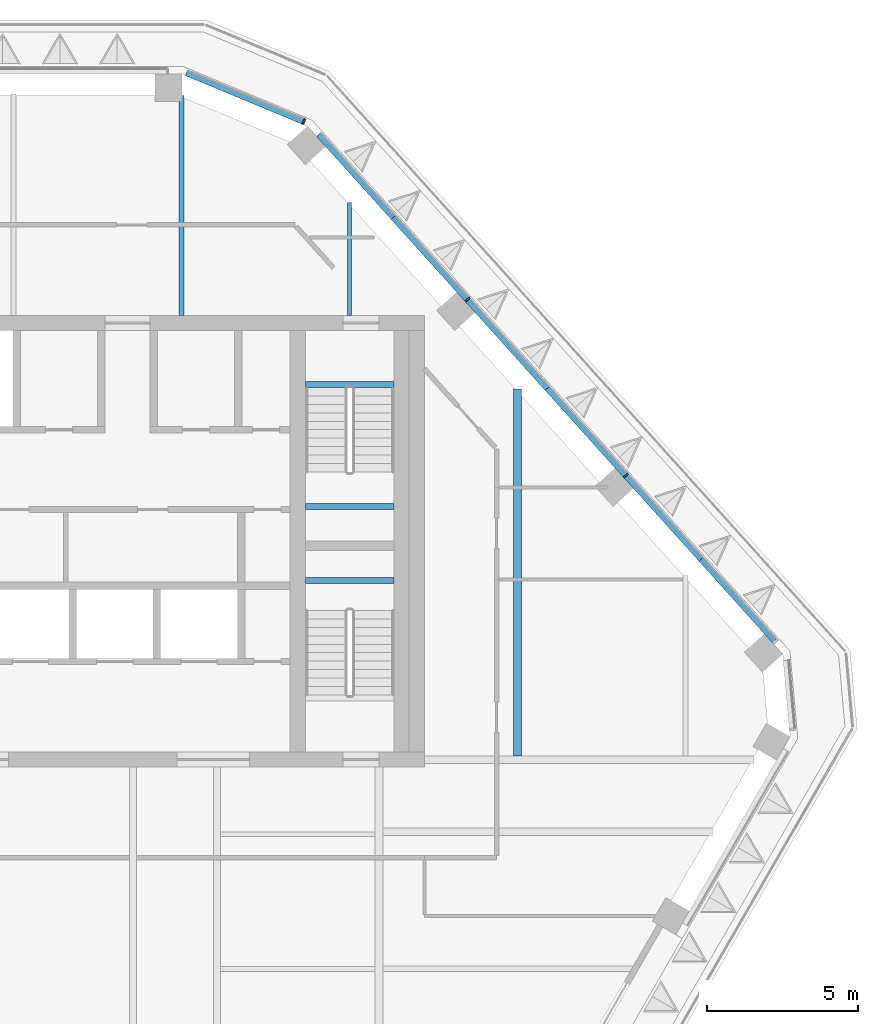
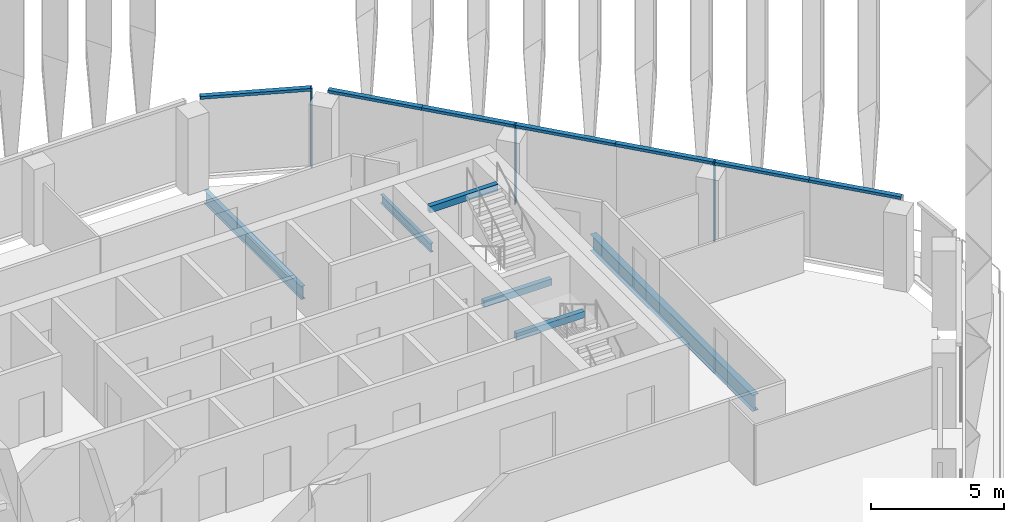
# One storey, part 6 of 21: 10 members, 6 beams, 2 elements without a shape of their own.
"""IFC4 building model written with IfcOpenShell, lengths in metres."""

from ifc_helpers import new_model, si_unit, direction, frame, origin, origin_2d, place, context, subcontext, project, spatial, rectangle, i_section, extrude, material, layer, layer_set, material_profile, profile_set, type_object, element, aggregate, save


model = new_model("IFC4")

# Units and contexts
model_context = context("Model", 3, precision=1e-05, world=origin(), true_north=direction((0.0, 1.0)))
body_context = subcontext(model_context, "Body", "Model", "MODEL_VIEW")
ifc_project = project(units=[si_unit("LENGTHUNIT", "METRE"), si_unit("AREAUNIT", "SQUARE_METRE"), si_unit("VOLUMEUNIT", "CUBIC_METRE"), si_unit("PLANEANGLEUNIT", "RADIAN"), si_unit("MASSUNIT", "GRAM", prefix="KILO")], contexts=[model_context])

# Site, building, storey
site_placement = place(None, origin())
site = spatial("IfcSite", under=ifc_project, at=site_placement, CompositionType="ELEMENT")
building_placement = place(site_placement, origin())
building = spatial("IfcBuilding", under=site, at=building_placement, Name="Isthmus Gate Tower", CompositionType="ELEMENT")
storey_placement = place(building_placement, frame((0.0, 0.0, 260.949951171875)))
storey = spatial("IfcBuildingStorey", under=building, at=storey_placement, Name="L66", CompositionType="ELEMENT", Elevation=260.949951171875)

# Curtain wall, members
ifc_material_1 = material(Name="Aluminium, pale champagne anodised", Category="aluminium")
ifc_layer = layer(ifc_material_1, 0.199951171875)
ifc_layer_set = layer_set([ifc_layer], Name="CW-1 UNITISED CURTAIN WALL 200 DEEP")
curtain_wall_type = type_object("IfcCurtainWallType", Name="CW-1 UNITISED CURTAIN WALL 200 DEEP", PredefinedType="NOTDEFINED", material=ifc_layer_set)
curtain_wall_1_placement = place(storey_placement, origin())
curtain_wall_1 = element("IfcCurtainWall", 1, at=curtain_wall_1_placement, inside=storey, type_object=curtain_wall_type, Name="CW-1 NE L66", PredefinedType="NOTDEFINED")
ifc_material_2 = material(Name="Aluminium, pale champagne anodised", Category="aluminium")
ifc_material_profile_1 = material_profile(ifc_material_2, rectangle(XDim=0.06005859375, YDim=0.199951171875, at=origin_2d()), Name="60x200")
ifc_profile_set_1 = profile_set([ifc_material_profile_1], Name="Aluminium, pale champagne anodised")
member_type_1 = type_object("IfcMemberType", Name="CW-1 MULLION 60 X 200", PredefinedType="MULLION", material=ifc_profile_set_1)
member_1_placement = place(storey_placement, frame((21.69140625, 9.680419921875, 0.0), z_axis=(0.0, 0.0, 1.0), x_axis=(-0.669130606359, 0.743144825477, 0.0)))
member_1 = element("IfcMember", 2, at=member_1_placement, type_object=member_type_1, Name="CW-1 mullion", PredefinedType="MULLION", context=body_context, shape_type="SweptSolid", body=[
    extrude(rectangle(XDim=0.06005859375, YDim=0.199951171875, at=origin_2d()), origin(), (0.0, 0.0, 1.0), 3.650146484375),
])
member_2_placement = place(storey_placement, frame((16.43408203125, 15.519287109375, 0.0), z_axis=(0.0, 0.0, 1.0), x_axis=(-0.669130606359, 0.743144825477, 0.0)))
member_2 = element("IfcMember", 3, at=member_2_placement, type_object=member_type_1, Name="CW-1 mullion", PredefinedType="MULLION", context=body_context, shape_type="SweptSolid", body=[
    extrude(rectangle(XDim=0.06005859375, YDim=0.199951171875, at=origin_2d()), origin(), (0.0, 0.0, 1.0), 3.650146484375),
])

# Curtain wall, member
curtain_wall_2_placement = place(storey_placement, origin())
curtain_wall_2 = element("IfcCurtainWall", 4, at=curtain_wall_2_placement, inside=storey, type_object=curtain_wall_type, Name="CW-1 NE-N L66", PredefinedType="NOTDEFINED")
member_3_placement = place(storey_placement, frame((11.001708984375, 21.427490234375, 0.0), z_axis=(0.0, 0.0, 1.0), x_axis=(-0.923353128387, 0.383951820282, 0.0)))
member_3 = element("IfcMember", 5, at=member_3_placement, type_object=member_type_1, Name="CW-1 mullion", PredefinedType="MULLION", context=body_context, shape_type="SweptSolid", body=[
    extrude(rectangle(XDim=0.06005859375, YDim=0.199951171875, at=origin_2d()), origin(), (0.0, 0.0, 1.0), 3.650146484375),
])

# Member
ifc_material_3 = material(Name="Aluminium, pale champagne anodised", Category="aluminium")
ifc_material_profile_2 = material_profile(ifc_material_3, rectangle(XDim=0.199951171875, YDim=0.1298828125, at=origin_2d()), Name="200x130")
ifc_profile_set_2 = profile_set([ifc_material_profile_2], Name="Aluminium, pale champagne anodised")
member_type_2 = type_object("IfcMemberType", Name="CW-1 TRANSOM 200 X 130", PredefinedType="USERDEFINED", material=ifc_profile_set_2)
member_4_placement = place(storey_placement, frame((26.62744140625, 4.198486328125, 3.5849609375), z_axis=(-0.669149818044, 0.743127526749, 0.0), x_axis=(-0.743127526749, -0.669149818044, 0.0)))
member_4 = element("IfcMember", 6, at=member_4_placement, type_object=member_type_2, Name="CW-1 transom", ObjectType="TRANSOM", PredefinedType="USERDEFINED", context=body_context, shape_type="SweptSolid", body=[
    extrude(rectangle(XDim=0.199951171875, YDim=0.1298828125, at=origin_2d()), origin(), (0.0, 0.0, 1.0), 3.643310546875),
])

member_5_placement = place(storey_placement, frame((24.189453125, 6.906005859375, 3.5849609375), z_axis=(-0.669121330099, 0.743153177754, 0.0), x_axis=(-0.743153177754, -0.669121330099, 0.0)))
member_5 = element("IfcMember", 7, at=member_5_placement, type_object=member_type_2, Name="CW-1 transom", ObjectType="TRANSOM", PredefinedType="USERDEFINED", context=body_context, shape_type="SweptSolid", body=[
    extrude(rectangle(XDim=0.199951171875, YDim=0.1298828125, at=origin_2d()), origin(), (0.0, 0.0, 1.0), 3.703369140625),
])

member_6_placement = place(storey_placement, frame((21.67138671875, 9.702880859375, 3.5849609375), z_axis=(-0.669156480406, 0.743121527565, 0.0), x_axis=(-0.743121527565, -0.669156480406, 0.0)))
member_6 = element("IfcMember", 8, at=member_6_placement, type_object=member_type_2, Name="CW-1 transom", ObjectType="TRANSOM", PredefinedType="USERDEFINED", context=body_context, shape_type="SweptSolid", body=[
    extrude(rectangle(XDim=0.199951171875, YDim=0.1298828125, at=origin_2d()), origin(), (0.0, 0.0, 1.0), 3.868408203125),
])

member_7_placement = place(storey_placement, frame((19.082763671875, 12.57763671875, 3.5849609375), z_axis=(-0.669095199697, 0.743176704252, 0.0), x_axis=(-0.743176704252, -0.669095199697, 0.0)))
member_7 = element("IfcMember", 9, at=member_7_placement, type_object=member_type_2, Name="CW-1 transom", ObjectType="TRANSOM", PredefinedType="USERDEFINED", context=body_context, shape_type="SweptSolid", body=[
    extrude(rectangle(XDim=0.199951171875, YDim=0.1298828125, at=origin_2d()), origin(), (0.0, 0.0, 1.0), 3.92822265625),
])

member_8_placement = place(storey_placement, frame((16.4140625, 15.54150390625, 3.5849609375), z_axis=(-0.669116497993, 0.743157528464, 0.0), x_axis=(-0.743157528464, -0.669116497993, 0.0)))
member_8 = element("IfcMember", 10, at=member_8_placement, type_object=member_type_2, Name="CW-1 transom", ObjectType="TRANSOM", PredefinedType="USERDEFINED", context=body_context, shape_type="SweptSolid", body=[
    extrude(rectangle(XDim=0.199951171875, YDim=0.1298828125, at=origin_2d()), origin(), (0.0, 0.0, 1.0), 3.6435546875),
])

member_9_placement = place(storey_placement, frame((13.97607421875, 18.249267578125, 3.5849609375), z_axis=(-0.669154112043, 0.743123660192, 0.0), x_axis=(-0.743123660192, -0.669154112043, 0.0)))
member_9 = element("IfcMember", 11, at=member_9_placement, type_object=member_type_2, Name="CW-1 transom", ObjectType="TRANSOM", PredefinedType="USERDEFINED", context=body_context, shape_type="SweptSolid", body=[
    extrude(rectangle(XDim=0.199951171875, YDim=0.1298828125, at=origin_2d()), origin(), (0.0, 0.0, 1.0), 3.703125),
])

aggregate(curtain_wall_1, [member_4, member_5, member_1, member_6, member_7, member_2, member_8, member_9])

member_10_placement = place(storey_placement, frame((10.97412109375, 21.43896484375, 3.5849609375), z_axis=(-0.923358236369, 0.383939536033, 0.0), x_axis=(-0.383939536033, -0.923358236369, 0.0)))
member_10 = element("IfcMember", 12, at=member_10_placement, type_object=member_type_2, Name="CW-1 transom", ObjectType="TRANSOM", PredefinedType="USERDEFINED", context=body_context, shape_type="SweptSolid", body=[
    extrude(rectangle(XDim=0.199951171875, YDim=0.1298828125, at=origin_2d()), origin(), (0.0, 0.0, 1.0), 4.181640625),
])

aggregate(curtain_wall_2, [member_3, member_10])

# Beams
ifc_material_4 = material(Name="Concrete f'c 40 MPa", Category="concrete")
ifc_material_profile_3 = material_profile(ifc_material_4, rectangle(XDim=0.199951171875, YDim=0.300048828125, at=origin_2d()), Name="STAIR LANDING BEAM RC 200 X 300")
ifc_profile_set_3 = profile_set([ifc_material_profile_3], Name="Concrete f'c 40 MPa")
beam_type_1 = type_object("IfcBeamType", Name="STAIR LANDING BEAM RC 200 X 300", PredefinedType="BEAM", material=ifc_profile_set_3)
for number, where, z_axis, x_axis, name in (
    (13, (11.050048828125, 8.64990234375, 1.47509765625), (1.0, 0.0, 0.0), (0.0, 1.0, 0.0), "L66 ST2 landing beam 1"),
    (14, (11.050048828125, 12.7001953125, 3.35009765625), (1.0, 0.0, 0.0), (0.0, 1.0, 0.0), "L66 ST2 floor-edge seat beam"),
    (15, (11.050048828125, 6.199951171875, 1.47509765625), (1.0, 0.0, 0.0), (0.0, 1.0, 0.0), "L66 ST8 landing beam 1"),
):
    element("IfcBeam", number, at=place(storey_placement, frame(where, z_axis=z_axis, x_axis=x_axis)), inside=storey, type_object=beam_type_1, Name=name, PredefinedType="BEAM", context=body_context, shape_type="SweptSolid", body=[
        extrude(rectangle(XDim=0.199951171875, YDim=0.300048828125, at=origin_2d()), origin(), (0.0, 0.0, 1.0), 2.949951171875),
    ])
ifc_material_5 = material(Name="Structural steel ASTM A992 Gr 50", Category="steel")
ifc_material_profile_4 = material_profile(ifc_material_5, i_section(OverallWidth=0.1396484375, OverallDepth=0.4033203125, WebThickness=0.00634765625, FlangeThickness=0.010986328125, at=origin_2d()), Name="W16X31")
ifc_profile_set_4 = profile_set([ifc_material_profile_4], Name="Structural steel ASTM A992 Gr 50")
beam_type_2 = type_object("IfcBeamType", Name="STEEL FLOOR BEAM W16X31", PredefinedType="JOIST", material=ifc_profile_set_4)
beam_1_placement = place(storey_placement, frame((12.51513671875, 15.0, -0.3515625), z_axis=(0.0, 1.0, 0.0), x_axis=(-1.0, 0.0, 0.0)))
element("IfcBeam", 16, at=beam_1_placement, inside=storey, type_object=beam_type_2, Name="str-beam-L66-07-05", PredefinedType="JOIST", context=body_context, shape_type="SweptSolid", body=[
    extrude(i_section(OverallWidth=0.1396484375, OverallDepth=0.4033203125, WebThickness=0.00634765625, FlangeThickness=0.010986328125, at=origin_2d()), origin(), (0.0, 0.0, 1.0), 3.748779296875),
])
ifc_material_6 = material(Name="Structural steel ASTM A992 Gr 50", Category="steel")
ifc_material_profile_5 = material_profile(ifc_material_6, i_section(OverallWidth=0.177734375, OverallDepth=0.60009765625, WebThickness=0.009521484375, FlangeThickness=0.0126953125, at=origin_2d()), Name="W24X55")
ifc_profile_set_5 = profile_set([ifc_material_profile_5], Name="Structural steel ASTM A992 Gr 50")
beam_type_3 = type_object("IfcBeamType", Name="STEEL FLOOR BEAM W24X55", PredefinedType="JOIST", material=ifc_profile_set_5)
beam_2_placement = place(storey_placement, frame((6.940673828125, 15.0, -0.449951171875), z_axis=(0.0, 1.0, 0.0), x_axis=(-1.0, 0.0, 0.0)))
element("IfcBeam", 17, at=beam_2_placement, inside=storey, type_object=beam_type_3, Name="str-beam-L66-07-04", PredefinedType="JOIST", context=body_context, shape_type="SweptSolid", body=[
    extrude(i_section(OverallWidth=0.177734375, OverallDepth=0.60009765625, WebThickness=0.009521484375, FlangeThickness=0.0126953125, at=origin_2d()), origin(), (0.0, 0.0, 1.0), 7.302001953125),
])
ifc_material_7 = material(Name="Structural steel ASTM A992 Gr 50", Category="steel")
ifc_material_profile_6 = material_profile(ifc_material_7, i_section(OverallWidth=0.263427734375, OverallDepth=0.749267578125, WebThickness=0.0126953125, FlangeThickness=0.015869140625, at=origin_2d()), Name="W30X90")
ifc_profile_set_6 = profile_set([ifc_material_profile_6], Name="Structural steel ASTM A992 Gr 50")
beam_type_4 = type_object("IfcBeamType", Name="STEEL FLOOR BEAM W30X90", PredefinedType="JOIST", material=ifc_profile_set_6)
beam_3_placement = place(storey_placement, frame((18.08935546875, 0.376953125, -0.524658203125), z_axis=(0.0, 1.0, 0.0), x_axis=(-1.0, 0.0, 0.0)))
element("IfcBeam", 18, at=beam_3_placement, inside=storey, type_object=beam_type_4, Name="str-beam-L66-07-06", PredefinedType="JOIST", context=body_context, shape_type="SweptSolid", body=[
    extrude(i_section(OverallWidth=0.263427734375, OverallDepth=0.749267578125, WebThickness=0.0126953125, FlangeThickness=0.015869140625, at=origin_2d()), origin(), (0.0, 0.0, 1.0), 12.180908203125),
])

save(model, "model.ifc")
